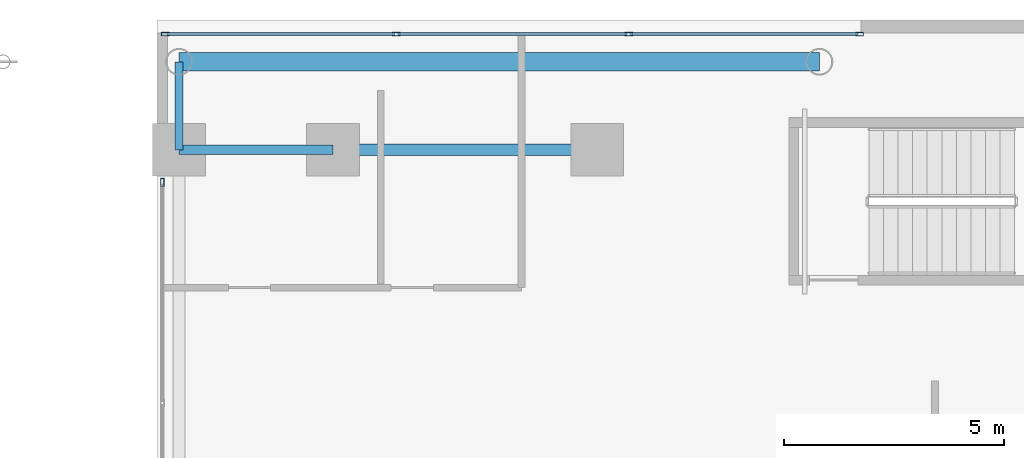
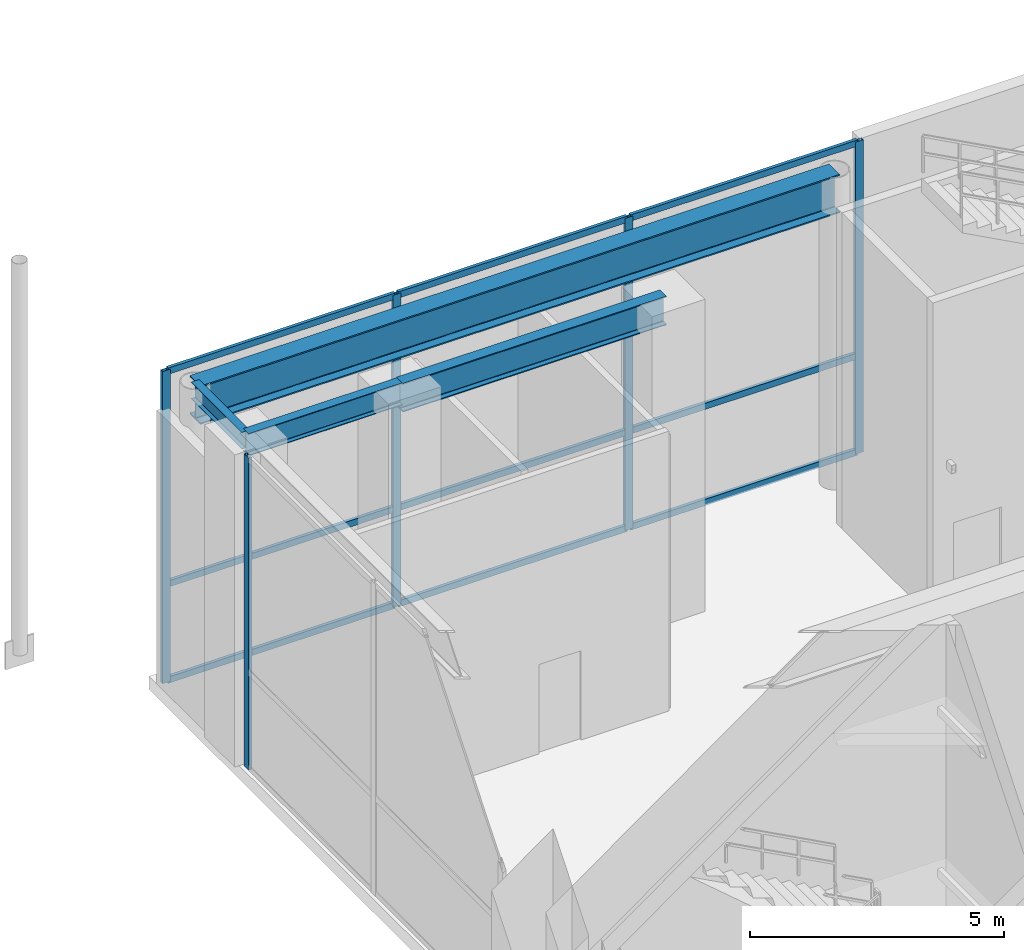
# One storey, part 17 of 29: 14 members, 4 beams, 2 elements without a shape of their own.
"""IFC4 building model written with IfcOpenShell, lengths in metres."""

from ifc_helpers import new_model, si_unit, direction, frame, origin, origin_2d, place, context, subcontext, project, spatial, hollow_rectangle, i_section, extrude, source, transform, mapped, material, layer, layer_set, material_profile, profile_set, type_object, element, aggregate, save


model = new_model("IFC4")

# Units and contexts
model_context = context("Model", 3, precision=1e-05, world=origin(), true_north=direction((0.0, 1.0)))
body_context = subcontext(model_context, "Body", "Model", "MODEL_VIEW")
ifc_project = project(units=[si_unit("LENGTHUNIT", "METRE"), si_unit("AREAUNIT", "SQUARE_METRE"), si_unit("VOLUMEUNIT", "CUBIC_METRE"), si_unit("PLANEANGLEUNIT", "RADIAN"), si_unit("MASSUNIT", "GRAM", prefix="KILO")], contexts=[model_context])

# Site, building, storey
site_placement = place(None, origin())
site = spatial("IfcSite", under=ifc_project, at=site_placement, CompositionType="ELEMENT")
building_placement = place(site_placement, origin())
building = spatial("IfcBuilding", under=site, at=building_placement, Name="Ocotamira Hotel", CompositionType="ELEMENT")
storey_placement = place(building_placement, frame((0.0, 0.0, 11.39990234375)))
storey = spatial("IfcBuildingStorey", under=building, at=storey_placement, Name="L03", CompositionType="ELEMENT", Elevation=11.39990234375)

# Beams
ifc_material_1 = material(Name="Steel ASTM A992 Grade 50", Category="steel")
ifc_material_profile_1 = material_profile(ifc_material_1, i_section(OverallWidth=0.41796875, OverallDepth=0.927001953125, WebThickness=0.019287109375, FlangeThickness=0.031982421875, FilletRadius=0.02392578125, at=origin_2d()), Name="W36X231")
ifc_profile_set_1 = profile_set([ifc_material_profile_1], Name="Steel ASTM A992 Grade 50")
beam_type_1 = type_object("IfcBeamType", Name="BM-GIRD-W36X231", PredefinedType="BEAM", material=ifc_profile_set_1)
shared_shape_1 = source(origin(), body_context, "Body", "SweptSolid", [
    extrude(i_section(OverallWidth=0.41796875, OverallDepth=0.927001953125, WebThickness=0.019287109375, FlangeThickness=0.031982421875, FilletRadius=0.02392578125, at=origin_2d()), origin(), (0.0, 0.0, 1.0), 14.550048828125),
])
beam_1_placement = place(storey_placement, frame((40.5, 51.050048828125, 7.046630859375), z_axis=(1.0, 0.0, 0.0), x_axis=(0.0, 1.0, 0.0)))
element("IfcBeam", 1, at=beam_1_placement, inside=storey, type_object=beam_type_1, Name="L03 Girder Y51.05 X40.5-55.05", PredefinedType="BEAM", context=body_context, shape_type="MappedRepresentation", body=[
    mapped(shared_shape_1, transform((0.0, 0.0, 0.0), scale=1.0)),
])
ifc_material_profile_2 = material_profile(ifc_material_1, i_section(OverallWidth=0.256103515625, OverallDepth=0.693115234375, WebThickness=0.014404296875, FlangeThickness=0.023681640625, FilletRadius=0.01611328125, at=origin_2d()), Name="W27X114")
ifc_profile_set_2 = profile_set([ifc_material_profile_2], Name="Steel ASTM A992 Grade 50")
beam_type_2 = type_object("IfcBeamType", Name="BM-PRIM-W27X114", PredefinedType="BEAM", material=ifc_profile_set_2)
shared_shape_2 = source(origin(), body_context, "Body", "SweptSolid", [
    extrude(i_section(OverallWidth=0.256103515625, OverallDepth=0.693115234375, WebThickness=0.014404296875, FlangeThickness=0.023681640625, FilletRadius=0.01611328125, at=origin_2d()), origin(), (0.0, 0.0, 1.0), 6.0),
])
beam_2_placement = place(storey_placement, frame((44.0, 49.050048828125, 7.16357421875), z_axis=(1.0, 0.0, 0.0), x_axis=(0.0, 1.0, 0.0)))
element("IfcBeam", 2, at=beam_2_placement, inside=storey, type_object=beam_type_2, Name="L03 Girder Y49.05 X44-50", PredefinedType="BEAM", context=body_context, shape_type="MappedRepresentation", body=[
    mapped(shared_shape_2, transform((0.0, 0.0, 0.0), scale=1.0)),
])
ifc_material_profile_3 = material_profile(ifc_material_1, i_section(OverallWidth=0.2099609375, OverallDepth=0.537109375, WebThickness=0.010986328125, FlangeThickness=0.017333984375, FilletRadius=0.012939453125, at=origin_2d()), Name="W21X68")
ifc_profile_set_3 = profile_set([ifc_material_profile_3], Name="Steel ASTM A992 Grade 50")
beam_type_3 = type_object("IfcBeamType", Name="BM-SEC-W21X68", PredefinedType="JOIST", material=ifc_profile_set_3)
shared_shape_3 = source(origin(), body_context, "Body", "SweptSolid", [
    extrude(i_section(OverallWidth=0.2099609375, OverallDepth=0.537109375, WebThickness=0.010986328125, FlangeThickness=0.017333984375, FilletRadius=0.012939453125, at=origin_2d()), origin(), (0.0, 0.0, 1.0), 3.5),
])
beam_3_placement = place(storey_placement, frame((40.5, 49.050048828125, 7.24169921875), z_axis=(1.0, 0.0, 0.0), x_axis=(0.0, 1.0, 0.0)))
element("IfcBeam", 3, at=beam_3_placement, inside=storey, type_object=beam_type_3, Name="L03 Girder Y49.05 X40.5-44", PredefinedType="JOIST", context=body_context, shape_type="MappedRepresentation", body=[
    mapped(shared_shape_3, transform((0.0, 0.0, 0.0), scale=1.0)),
])
ifc_material_profile_4 = material_profile(ifc_material_1, i_section(OverallWidth=0.177978515625, OverallDepth=0.403076171875, WebThickness=0.007568359375, FlangeThickness=0.010986328125, FilletRadius=0.010009765625, at=origin_2d()), Name="W16X36")
ifc_profile_set_4 = profile_set([ifc_material_profile_4], Name="Steel ASTM A992 Grade 50")
beam_type_4 = type_object("IfcBeamType", Name="BM-SEC-W16X36", PredefinedType="JOIST", material=ifc_profile_set_4)
shared_shape_4 = source(origin(), body_context, "Body", "SweptSolid", [
    extrude(i_section(OverallWidth=0.177978515625, OverallDepth=0.403076171875, WebThickness=0.007568359375, FlangeThickness=0.010986328125, FilletRadius=0.010009765625, at=origin_2d()), origin(), (0.0, 0.0, 1.0), 2.0),
])
beam_4_placement = place(storey_placement, frame((40.5, 49.050048828125, 7.30859375), z_axis=(0.0, 1.0, 0.0), x_axis=(-1.0, 0.0, 0.0)))
element("IfcBeam", 4, at=beam_4_placement, inside=storey, type_object=beam_type_4, Name="L03 Beam X40.5 Y49.05-51.05", PredefinedType="JOIST", context=body_context, shape_type="MappedRepresentation", body=[
    mapped(shared_shape_4, transform((0.0, 0.0, 0.0), scale=1.0)),
])

# Curtain wall, members
ifc_material_2 = material(Name="Anodised pale-metal aluminium and solar glass", Category="aluminium")
ifc_layer = layer(ifc_material_2, 0.219970703125)
ifc_layer_set = layer_set([ifc_layer], Name="Anodised pale-metal aluminium and solar glass")
curtain_wall_type = type_object("IfcCurtainWallType", Name="CW-SYS1-POD", PredefinedType="NOTDEFINED", material=ifc_layer_set)
curtain_wall_1_placement = place(storey_placement, origin())
curtain_wall_1 = element("IfcCurtainWall", 5, at=curtain_wall_1_placement, inside=storey, type_object=curtain_wall_type, Name="L03 Curtain Wall CW-1 CW-L03-NE", PredefinedType="NOTDEFINED")
ifc_material_3 = material(Name="Anodised pale-metal aluminium 6063-T6", Category="aluminium")
ifc_material_profile_5 = material_profile(ifc_material_3, hollow_rectangle(XDim=0.074951171875, YDim=0.14990234375, WallThickness=0.006103515625, at=origin_2d()), Name="HSS150X75X6")
ifc_profile_set_5 = profile_set([ifc_material_profile_5], Name="Anodised pale-metal aluminium 6063-T6")
member_type_1 = type_object("IfcMemberType", Name="CWT-150X75", PredefinedType="USERDEFINED", material=ifc_profile_set_5)
shared_shape_5 = source(origin(), body_context, "Body", "SweptSolid", [
    extrude(hollow_rectangle(XDim=0.074951171875, YDim=0.14990234375, WallThickness=0.006103515625, at=origin_2d()), origin(), (0.0, 0.0, 1.0), 5.163330078125),
])
member_1_placement = place(storey_placement, frame((40.22998046875, 51.679931640625, 0.03759765625), z_axis=(1.0, 0.0, 0.0), x_axis=(0.0, 1.0, 0.0)))
member_1 = element("IfcMember", 6, at=member_1_placement, type_object=member_type_1, Name="CW-1 transom 1.1", ObjectType="TRANSOM", PredefinedType="USERDEFINED", context=body_context, shape_type="MappedRepresentation", body=[
    mapped(shared_shape_5, transform((0.0, 0.0, 0.0), scale=1.0)),
])
member_2_placement = place(storey_placement, frame((40.22998046875, 51.679931640625, 2.35009765625), z_axis=(1.0, 0.0, 0.0), x_axis=(0.0, 1.0, 0.0)))
member_2 = element("IfcMember", 7, at=member_2_placement, type_object=member_type_1, Name="CW-1 transom 1.2", ObjectType="TRANSOM", PredefinedType="USERDEFINED", context=body_context, shape_type="MappedRepresentation", body=[
    mapped(shared_shape_5, transform((0.0, 0.0, 0.0), scale=1.0)),
])
member_3_placement = place(storey_placement, frame((40.22998046875, 51.679931640625, 7.47265625), z_axis=(1.0, 0.0, 0.0), x_axis=(0.0, 1.0, 0.0)))
member_3 = element("IfcMember", 8, at=member_3_placement, type_object=member_type_1, Name="CW-1 transom 1.3", ObjectType="TRANSOM", PredefinedType="USERDEFINED", context=body_context, shape_type="MappedRepresentation", body=[
    mapped(shared_shape_5, transform((0.0, 0.0, 0.0), scale=1.0)),
])
member_4_placement = place(storey_placement, frame((50.756591796875, 51.679931640625, 0.03759765625), z_axis=(1.0, 0.0, 0.0), x_axis=(0.0, 1.0, 0.0)))
member_4 = element("IfcMember", 9, at=member_4_placement, type_object=member_type_1, Name="CW-1 transom 3.1", ObjectType="TRANSOM", PredefinedType="USERDEFINED", context=body_context, shape_type="MappedRepresentation", body=[
    mapped(shared_shape_5, transform((0.0, 0.0, 0.0), scale=1.0)),
])
member_5_placement = place(storey_placement, frame((50.756591796875, 51.679931640625, 2.35009765625), z_axis=(1.0, 0.0, 0.0), x_axis=(0.0, 1.0, 0.0)))
member_5 = element("IfcMember", 10, at=member_5_placement, type_object=member_type_1, Name="CW-1 transom 3.2", ObjectType="TRANSOM", PredefinedType="USERDEFINED", context=body_context, shape_type="MappedRepresentation", body=[
    mapped(shared_shape_5, transform((0.0, 0.0, 0.0), scale=1.0)),
])
member_6_placement = place(storey_placement, frame((50.756591796875, 51.679931640625, 7.47265625), z_axis=(1.0, 0.0, 0.0), x_axis=(0.0, 1.0, 0.0)))
member_6 = element("IfcMember", 11, at=member_6_placement, type_object=member_type_1, Name="CW-1 transom 3.3", ObjectType="TRANSOM", PredefinedType="USERDEFINED", context=body_context, shape_type="MappedRepresentation", body=[
    mapped(shared_shape_5, transform((0.0, 0.0, 0.0), scale=1.0)),
])
shared_shape_6 = source(origin(), body_context, "Body", "SweptSolid", [
    extrude(hollow_rectangle(XDim=0.074951171875, YDim=0.14990234375, WallThickness=0.006103515625, at=origin_2d()), origin(), (0.0, 0.0, 1.0), 5.203369140625),
])
member_7_placement = place(storey_placement, frame((45.473388671875, 51.679931640625, 0.03759765625), z_axis=(1.0, 0.0, 0.0), x_axis=(0.0, 1.0, 0.0)))
member_7 = element("IfcMember", 12, at=member_7_placement, type_object=member_type_1, Name="CW-1 transom 2.1", ObjectType="TRANSOM", PredefinedType="USERDEFINED", context=body_context, shape_type="MappedRepresentation", body=[
    mapped(shared_shape_6, transform((0.0, 0.0, 0.0), scale=1.0)),
])
member_8_placement = place(storey_placement, frame((45.473388671875, 51.679931640625, 2.35009765625), z_axis=(1.0, 0.0, 0.0), x_axis=(0.0, 1.0, 0.0)))
member_8 = element("IfcMember", 13, at=member_8_placement, type_object=member_type_1, Name="CW-1 transom 2.2", ObjectType="TRANSOM", PredefinedType="USERDEFINED", context=body_context, shape_type="MappedRepresentation", body=[
    mapped(shared_shape_6, transform((0.0, 0.0, 0.0), scale=1.0)),
])
member_9_placement = place(storey_placement, frame((45.473388671875, 51.679931640625, 7.47265625), z_axis=(1.0, 0.0, 0.0), x_axis=(0.0, 1.0, 0.0)))
member_9 = element("IfcMember", 14, at=member_9_placement, type_object=member_type_1, Name="CW-1 transom 2.3", ObjectType="TRANSOM", PredefinedType="USERDEFINED", context=body_context, shape_type="MappedRepresentation", body=[
    mapped(shared_shape_6, transform((0.0, 0.0, 0.0), scale=1.0)),
])
ifc_material_profile_6 = material_profile(ifc_material_3, hollow_rectangle(XDim=0.080078125, YDim=0.179931640625, WallThickness=0.006103515625, at=origin_2d()), Name="HSS180X80X6")
ifc_profile_set_6 = profile_set([ifc_material_profile_6], Name="Anodised pale-metal aluminium 6063-T6")
member_type_2 = type_object("IfcMemberType", Name="CWM-180X75", PredefinedType="MULLION", material=ifc_profile_set_6)
shared_shape_7 = source(origin(), body_context, "Body", "SweptSolid", [
    extrude(hollow_rectangle(XDim=0.080078125, YDim=0.179931640625, WallThickness=0.006103515625, at=origin_2d()), origin(), (0.0, 0.0, 1.0), 7.510009765625),
])
member_10_placement = place(storey_placement, frame((40.18994140625, 51.679931640625, 0.0), z_axis=(0.0, 0.0, 1.0), x_axis=(0.0, 1.0, 0.0)))
member_10 = element("IfcMember", 15, at=member_10_placement, type_object=member_type_2, Name="CW-1 mullion 1", PredefinedType="MULLION", context=body_context, shape_type="MappedRepresentation", body=[
    mapped(shared_shape_7, transform((0.0, 0.0, 0.0), scale=1.0)),
])
member_11_placement = place(storey_placement, frame((45.433349609375, 51.679931640625, 0.0), z_axis=(0.0, 0.0, 1.0), x_axis=(0.0, 1.0, 0.0)))
member_11 = element("IfcMember", 16, at=member_11_placement, type_object=member_type_2, Name="CW-1 mullion 2", PredefinedType="MULLION", context=body_context, shape_type="MappedRepresentation", body=[
    mapped(shared_shape_7, transform((0.0, 0.0, 0.0), scale=1.0)),
])
member_12_placement = place(storey_placement, frame((50.716552734375, 51.679931640625, 0.0), z_axis=(0.0, 0.0, 1.0), x_axis=(0.0, 1.0, 0.0)))
member_12 = element("IfcMember", 17, at=member_12_placement, type_object=member_type_2, Name="CW-1 mullion 3", PredefinedType="MULLION", context=body_context, shape_type="MappedRepresentation", body=[
    mapped(shared_shape_7, transform((0.0, 0.0, 0.0), scale=1.0)),
])
member_13_placement = place(storey_placement, frame((55.9599609375, 51.679931640625, 0.0), z_axis=(0.0, 0.0, 1.0), x_axis=(0.0, 1.0, 0.0)))
member_13 = element("IfcMember", 18, at=member_13_placement, type_object=member_type_2, Name="CW-1 mullion 4", PredefinedType="MULLION", context=body_context, shape_type="MappedRepresentation", body=[
    mapped(shared_shape_7, transform((0.0, 0.0, 0.0), scale=1.0)),
])
aggregate(curtain_wall_1, [member_10, member_11, member_12, member_13, member_1, member_2, member_3, member_7, member_8, member_9, member_4, member_5, member_6])

# Curtain wall, member
curtain_wall_2_placement = place(storey_placement, origin())
curtain_wall_2 = element("IfcCurtainWall", 19, at=curtain_wall_2_placement, inside=storey, type_object=curtain_wall_type, Name="L03 Curtain Wall CW-1 CW-L03-AE-N", PredefinedType="NOTDEFINED")
member_14_placement = place(storey_placement, frame((40.1201171875, 48.31005859375, 0.0), z_axis=(0.0, 0.0, 1.0), x_axis=(-1.0, 0.0, 0.0)))
member_14 = element("IfcMember", 20, at=member_14_placement, type_object=member_type_2, Name="CW-1 mullion 3", PredefinedType="MULLION", context=body_context, shape_type="MappedRepresentation", body=[
    mapped(shared_shape_7, transform((0.0, 0.0, 0.0), scale=1.0)),
])
aggregate(curtain_wall_2, [member_14])

save(model, "model.ifc")
